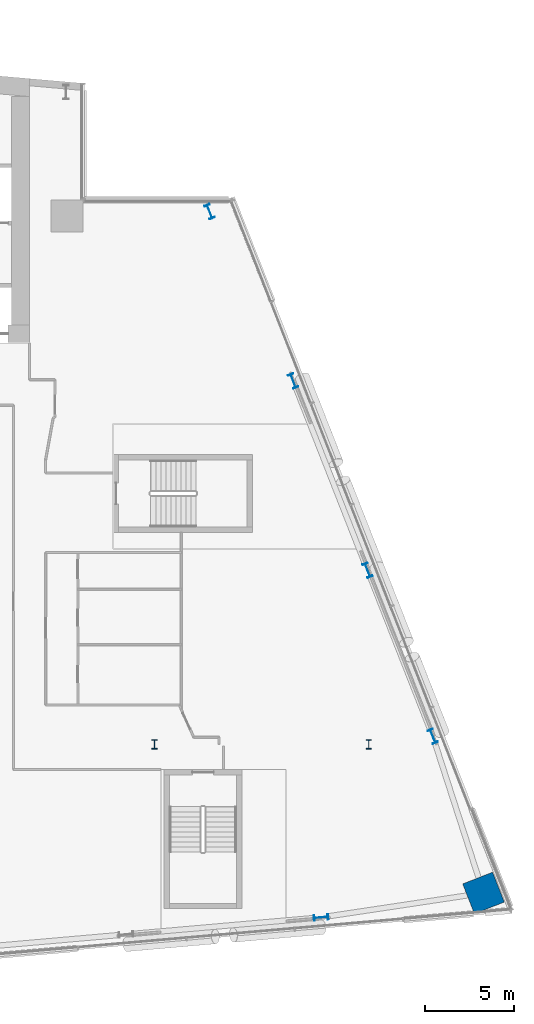
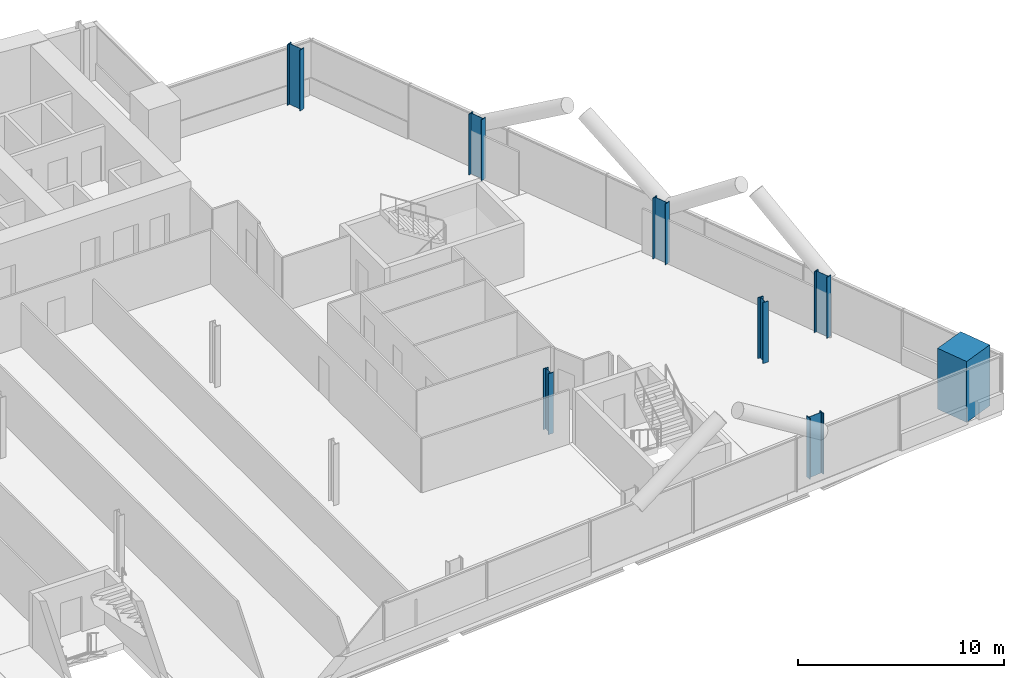
# One storey, part 4 of 25: 8 columns.
"""IFC4 building model written with IfcOpenShell, lengths in metres."""

from ifc_helpers import new_model, si_unit, direction, frame, origin, origin_2d, place, context, subcontext, project, spatial, rectangle, i_section, extrude, material, material_profile, profile_set, type_object, element, save


model = new_model("IFC4")

# Units and contexts
model_context = context("Model", 3, precision=1e-05, world=origin(), true_north=direction((0.0, 1.0)))
body_context = subcontext(model_context, "Body", "Model", "MODEL_VIEW")
ifc_project = project(units=[si_unit("LENGTHUNIT", "METRE"), si_unit("AREAUNIT", "SQUARE_METRE"), si_unit("VOLUMEUNIT", "CUBIC_METRE"), si_unit("PLANEANGLEUNIT", "RADIAN"), si_unit("MASSUNIT", "GRAM", prefix="KILO")], contexts=[model_context])

# Site, building, storey
site_placement = place(None, origin())
site = spatial("IfcSite", under=ifc_project, at=site_placement, CompositionType="ELEMENT")
building_placement = place(site_placement, origin())
building = spatial("IfcBuilding", under=site, at=building_placement, Name="Wharfspan Tower", CompositionType="ELEMENT")
storey_placement = place(building_placement, frame((0.0, 0.0, 121.899902)))
storey = spatial("IfcBuildingStorey", under=building, at=storey_placement, Name="L28", CompositionType="ELEMENT", Elevation=121.899902)

# Columns
ifc_material_1 = material(Name="Steel S355J2", Category="steel")
ifc_material_profile_1 = material_profile(ifc_material_1, i_section(OverallWidth=0.305908, OverallDepth=0.523926, WebThickness=0.020996, FlangeThickness=0.040039, FilletRadius=0.0271, at=origin_2d()))
ifc_profile_set_1 = profile_set([ifc_material_profile_1], Name="Steel S355J2")
column_type_1 = type_object("IfcColumnType", Name="Column HEM 500", PredefinedType="COLUMN", material=ifc_profile_set_1)
for number, where, z_axis, x_axis, name in (
    (1, (72.0, 11.5, 0.0), (0.0, 0.0, 1.0), (1.0, 0.0, 0.0), "Interior column I.1.6 L28"),
    (2, (84.0, 11.5, 0.0), (0.0, 0.0, 1.0), (1.0, 0.0, 0.0), "Interior column I.1.7 L28"),
):
    element("IfcColumn", number, at=place(storey_placement, frame(where, z_axis=z_axis, x_axis=x_axis)), inside=storey, type_object=column_type_1, Name=name, PredefinedType="COLUMN", context=body_context, shape_type="SweptSolid", body=[
        extrude(i_section(OverallWidth=0.305908, OverallDepth=0.523926, WebThickness=0.020996, FlangeThickness=0.040039, FilletRadius=0.0271, at=origin_2d()), origin(), (0.0, 0.0, 1.0), 3.600098),
    ])
ifc_material_profile_2 = material_profile(ifc_material_1, i_section(OverallWidth=0.302979, OverallDepth=0.813965, WebThickness=0.020996, FlangeThickness=0.040039, FilletRadius=0.030029, at=origin_2d()))
ifc_profile_set_2 = profile_set([ifc_material_profile_2], Name="Steel S355J2")
column_type_2 = type_object("IfcColumnType", Name="Column HEM 800", PredefinedType="COLUMN", material=ifc_profile_set_2)
for number, where, z_axis, x_axis, name in (
    (3, (81.327881, 1.80835, 0.0), (0.0, 0.0, 1.0), (0.087156, -0.996198, 0.0), "Perimeter column PS2.3 L28"),
    (4, (87.586914, 11.952393, 0.0), (0.0, 0.0, 1.0), (0.930702, 0.365778, 0.0), "Perimeter column PE.1 L28"),
    (5, (83.932617, 21.250977, 0.0), (0.0, 0.0, 1.0), (0.930702, 0.365778, 0.0), "Perimeter column PE.2 L28"),
    (6, (79.765869, 31.852539, 0.0), (0.0, 0.0, 1.0), (0.930702, 0.365778, 0.0), "Perimeter column PE.3 L28"),
    (7, (75.084961, 41.337646, 0.0), (0.0, 0.0, 1.0), (0.930702, 0.365778, 0.0), "Perimeter column PE.4 L28"),
):
    element("IfcColumn", number, at=place(storey_placement, frame(where, z_axis=z_axis, x_axis=x_axis)), inside=storey, type_object=column_type_2, Name=name, PredefinedType="COLUMN", context=body_context, shape_type="SweptSolid", body=[
        extrude(i_section(OverallWidth=0.302979, OverallDepth=0.813965, WebThickness=0.020996, FlangeThickness=0.040039, FilletRadius=0.030029, at=origin_2d()), origin(), (0.0, 0.0, 1.0), 3.600098),
    ])
ifc_material_2 = material(Name="Concrete C70/85", Category="concrete")
ifc_material_profile_3 = material_profile(ifc_material_2, rectangle(XDim=1.800049, YDim=1.800049, at=origin_2d()))
ifc_profile_set_3 = profile_set([ifc_material_profile_3], Name="Concrete C70/85")
column_type_3 = type_object("IfcColumnType", Name="Mega column 1800 C70/85", PredefinedType="COLUMN", material=ifc_profile_set_3)
column_placement = place(storey_placement, frame((90.427246, 3.174072, 0.0), z_axis=(0.0, 0.0, 1.0), x_axis=(-0.365778, 0.930702, 0.0)))
element("IfcColumn", 8, at=column_placement, inside=storey, type_object=column_type_3, Name="Mega column MC4 L28", PredefinedType="COLUMN", context=body_context, shape_type="SweptSolid", body=[
    extrude(rectangle(XDim=1.800049, YDim=1.800049, at=origin_2d()), origin(), (0.0, 0.0, 1.0), 3.600098),
])

save(model, "model.ifc")
